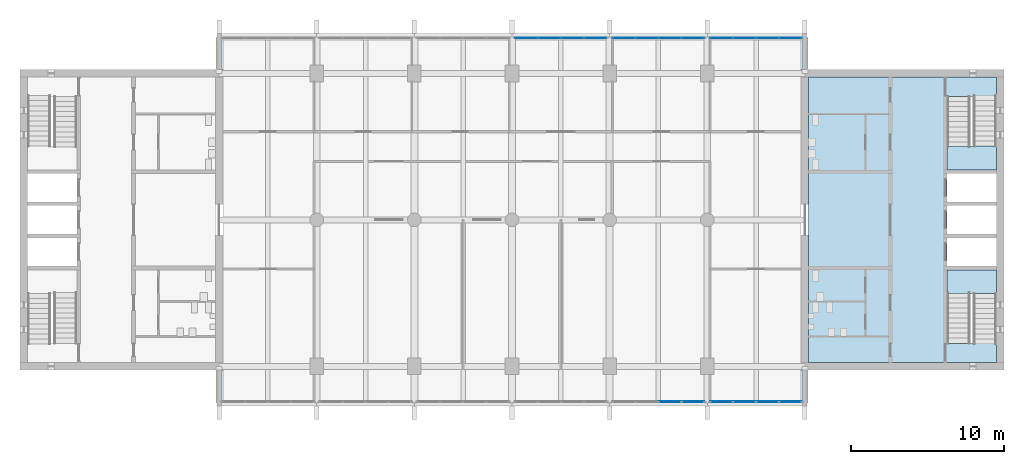
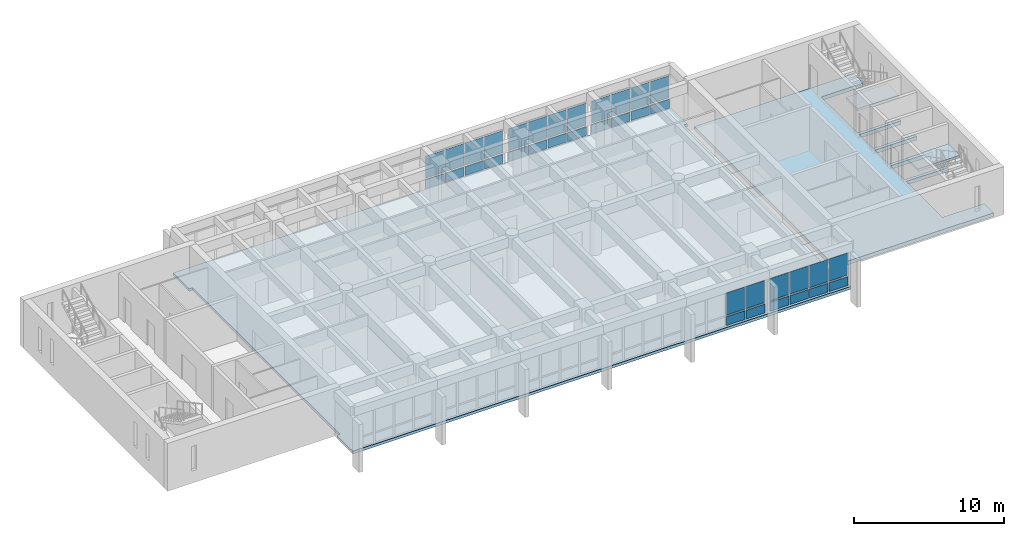
# One storey, part 8 of 15: 36 plates, 4 slabs, 7 elements without a shape of their own.
"""IFC4 building model written with IfcOpenShell, lengths in metres."""

from ifc_helpers import new_model, si_unit, direction, frame, origin, origin_2d, place, context, subcontext, project, spatial, polyline, rectangle, outline, extrude, material, layer, layer_set, type_object, element, aggregate, save


model = new_model("IFC4")

# Units and contexts
model_context = context("Model", 3, precision=1e-05, world=origin(), true_north=direction((0.0, 1.0)))
body_context = subcontext(model_context, "Body", "Model", "MODEL_VIEW")
ifc_project = project(units=[si_unit("LENGTHUNIT", "METRE"), si_unit("AREAUNIT", "SQUARE_METRE"), si_unit("VOLUMEUNIT", "CUBIC_METRE"), si_unit("PLANEANGLEUNIT", "RADIAN"), si_unit("MASSUNIT", "GRAM", prefix="KILO")], contexts=[model_context])

# Site, building, storey
site_placement = place(None, origin())
site = spatial("IfcSite", under=ifc_project, at=site_placement, CompositionType="ELEMENT")
building_placement = place(site_placement, origin())
building = spatial("IfcBuilding", under=site, at=building_placement, Name="Fogon Plaza Fire Station and Headquarters Tower", CompositionType="ELEMENT")
storey_placement = place(building_placement, frame((0.0, 0.0, 44.39990234375)))
storey = spatial("IfcBuildingStorey", under=building, at=storey_placement, Name="L11", CompositionType="ELEMENT", Elevation=44.39990234375)

# Slabs
ifc_material_1 = material(Name="Concrete C40", Category="concrete")
ifc_layer_1 = layer(ifc_material_1, 0.300048828125)
ifc_layer_set_1 = layer_set([ifc_layer_1], Name="Concrete C40")
slab_type_1 = type_object("IfcSlabType", Name="Core Floor Slab RC 300", PredefinedType="FLOOR", material=ifc_layer_set_1)
slab_1_placement = place(storey_placement, frame((0.0, 0.0, -0.2998046875)))
element("IfcSlab", 1, at=slab_1_placement, inside=storey, type_object=slab_type_1, Name="Core B floor", PredefinedType="FLOOR", context=body_context, shape_type="SweptSolid", body=[
    extrude(outline(polyline([(76.550048828125, 35.110107421875), (73.324951171875, 35.110107421875), (73.324951171875, 39.925048828125), (76.550048828125, 39.925048828125), (76.550048828125, 40.175048828125), (73.324951171875, 40.175048828125), (73.324951171875, 42.02490234375), (76.550048828125, 42.02490234375), (76.550048828125, 42.27490234375), (73.324951171875, 42.27490234375), (73.324951171875, 44.125), (76.550048828125, 44.125), (76.550048828125, 44.375), (73.324951171875, 44.375), (73.324951171875, 46.22509765625), (76.550048828125, 46.22509765625), (76.550048828125, 46.47509765625), (73.324951171875, 46.47509765625), (73.324951171875, 51.2900390625), (76.550048828125, 51.2900390625), (76.550048828125, 52.550048828125), (64.25, 52.550048828125), (64.25, 33.85009765625), (76.550048828125, 33.85009765625), (76.550048828125, 35.110107421875)])), origin(), (0.0, 0.0, 1.0), 0.2998046875),
])
ifc_material_2 = material(Name="Concrete C40", Category="concrete")
ifc_layer_2 = layer(ifc_material_2, 0.219970703125)
ifc_layer_set_2 = layer_set([ifc_layer_2], Name="Concrete C40")
slab_type_2 = type_object("IfcSlabType", Name="Floor slab 220 S22", PredefinedType="FLOOR", material=ifc_layer_set_2)
slab_2_placement = place(storey_placement, frame((0.0, 0.0, -0.219970703125)))
element("IfcSlab", 2, at=slab_2_placement, inside=storey, type_object=slab_type_2, Name="slab-L11-bar", PredefinedType="FLOOR", context=body_context, shape_type="SweptSolid", body=[
    extrude(outline(polyline([(64.0, 31.199951171875), (25.60009765625, 31.199951171875), (25.60009765625, 33.35009765625), (25.85009765625, 33.35009765625), (25.85009765625, 53.050048828125), (25.60009765625, 53.050048828125), (25.60009765625, 55.199951171875), (64.0, 55.199951171875), (64.0, 53.050048828125), (63.75, 53.050048828125), (63.75, 33.35009765625), (64.0, 33.35009765625), (64.0, 31.199951171875)])), origin(), (0.0, 0.0, 1.0), 0.219970703125),
])

# Curtain wall, plates
ifc_material_3 = material(Name="Aluminium and glass", Category="aluminium")
ifc_layer_3 = layer(ifc_material_3, 0.14990234375)
ifc_layer_set_3 = layer_set([ifc_layer_3], Name="Aluminium and glass")
curtain_wall_type = type_object("IfcCurtainWallType", Name="Unitised Curtain Wall Run 6100x2880", PredefinedType="NOTDEFINED", material=ifc_layer_set_3)
curtain_wall_1_placement = place(storey_placement, origin())
curtain_wall_1 = element("IfcCurtainWall", 3, at=curtain_wall_1_placement, inside=storey, type_object=curtain_wall_type, Name="CW-6100x2880 S5 L11", PredefinedType="NOTDEFINED")
ifc_material_4 = material(Name="Insulated aluminium spandrel", Category="aluminium")
ifc_layer_4 = layer(ifc_material_4, 0.06005859375)
ifc_layer_set_4 = layer_set([ifc_layer_4], Name="Insulated aluminium spandrel")
plate_type_1 = type_object("IfcPlateType", Name="Insulated Spandrel Panel", PredefinedType="CURTAIN_PANEL", material=ifc_layer_set_4)
plate_1_placement = place(storey_placement, frame((55.155029296875, 31.280029296875, 0.1201171875), z_axis=(0.0, 0.0, 1.0), x_axis=(1.0, 0.0, 0.0)))
plate_1 = element("IfcPlate", 4, at=plate_1_placement, type_object=plate_type_1, Name="SP1 panel 3.1", PredefinedType="CURTAIN_PANEL", context=body_context, shape_type="SweptSolid", body=[
    extrude(rectangle(XDim=1.449951171875, YDim=0.06005859375, at=origin_2d()), origin(), (0.0, 0.0, 1.0), 0.719970703125),
])
plate_2_placement = place(storey_placement, frame((56.6650390625, 31.280029296875, 0.1201171875), z_axis=(0.0, 0.0, 1.0), x_axis=(1.0, 0.0, 0.0)))
plate_2 = element("IfcPlate", 5, at=plate_2_placement, type_object=plate_type_1, Name="SP1 panel 4.1", PredefinedType="CURTAIN_PANEL", context=body_context, shape_type="SweptSolid", body=[
    extrude(rectangle(XDim=1.449951171875, YDim=0.06005859375, at=origin_2d()), origin(), (0.0, 0.0, 1.0), 0.719970703125),
])

curtain_wall_2_placement = place(storey_placement, origin())
curtain_wall_2 = element("IfcCurtainWall", 6, at=curtain_wall_2_placement, inside=storey, type_object=curtain_wall_type, Name="CW-6100x2880 S6 L11", PredefinedType="NOTDEFINED")
plate_3_placement = place(storey_placement, frame((58.534912109375, 31.280029296875, 0.1201171875), z_axis=(0.0, 0.0, 1.0), x_axis=(1.0, 0.0, 0.0)))
plate_3 = element("IfcPlate", 7, at=plate_3_placement, type_object=plate_type_1, Name="SP1 panel 1.1", PredefinedType="CURTAIN_PANEL", context=body_context, shape_type="SweptSolid", body=[
    extrude(rectangle(XDim=1.449951171875, YDim=0.06005859375, at=origin_2d()), origin(), (0.0, 0.0, 1.0), 0.719970703125),
])
plate_4_placement = place(storey_placement, frame((60.044921875, 31.280029296875, 0.1201171875), z_axis=(0.0, 0.0, 1.0), x_axis=(1.0, 0.0, 0.0)))
plate_4 = element("IfcPlate", 8, at=plate_4_placement, type_object=plate_type_1, Name="SP1 panel 2.1", PredefinedType="CURTAIN_PANEL", context=body_context, shape_type="SweptSolid", body=[
    extrude(rectangle(XDim=1.449951171875, YDim=0.06005859375, at=origin_2d()), origin(), (0.0, 0.0, 1.0), 0.719970703125),
])
plate_5_placement = place(storey_placement, frame((61.554931640625, 31.280029296875, 0.1201171875), z_axis=(0.0, 0.0, 1.0), x_axis=(1.0, 0.0, 0.0)))
plate_5 = element("IfcPlate", 9, at=plate_5_placement, type_object=plate_type_1, Name="SP1 panel 3.1", PredefinedType="CURTAIN_PANEL", context=body_context, shape_type="SweptSolid", body=[
    extrude(rectangle(XDim=1.449951171875, YDim=0.06005859375, at=origin_2d()), origin(), (0.0, 0.0, 1.0), 0.719970703125),
])
plate_6_placement = place(storey_placement, frame((63.06494140625, 31.280029296875, 0.1201171875), z_axis=(0.0, 0.0, 1.0), x_axis=(1.0, 0.0, 0.0)))
plate_6 = element("IfcPlate", 10, at=plate_6_placement, type_object=plate_type_1, Name="SP1 panel 4.1", PredefinedType="CURTAIN_PANEL", context=body_context, shape_type="SweptSolid", body=[
    extrude(rectangle(XDim=1.449951171875, YDim=0.06005859375, at=origin_2d()), origin(), (0.0, 0.0, 1.0), 0.719970703125),
])

curtain_wall_3_placement = place(storey_placement, origin())
curtain_wall_3 = element("IfcCurtainWall", 11, at=curtain_wall_3_placement, inside=storey, type_object=curtain_wall_type, Name="CW-6100x2880 N4 L11", PredefinedType="NOTDEFINED")
plate_7_placement = place(storey_placement, frame((45.735107421875, 55.1201171875, 0.1201171875), z_axis=(0.0, 0.0, 1.0), x_axis=(1.0, 0.0, 0.0)))
plate_7 = element("IfcPlate", 12, at=plate_7_placement, type_object=plate_type_1, Name="SP1 panel 1.1", PredefinedType="CURTAIN_PANEL", context=body_context, shape_type="SweptSolid", body=[
    extrude(rectangle(XDim=1.449951171875, YDim=0.06005859375, at=origin_2d()), origin(), (0.0, 0.0, 1.0), 0.719970703125),
])
plate_8_placement = place(storey_placement, frame((47.2451171875, 55.1201171875, 0.1201171875), z_axis=(0.0, 0.0, 1.0), x_axis=(1.0, 0.0, 0.0)))
plate_8 = element("IfcPlate", 13, at=plate_8_placement, type_object=plate_type_1, Name="SP1 panel 2.1", PredefinedType="CURTAIN_PANEL", context=body_context, shape_type="SweptSolid", body=[
    extrude(rectangle(XDim=1.449951171875, YDim=0.06005859375, at=origin_2d()), origin(), (0.0, 0.0, 1.0), 0.719970703125),
])
plate_9_placement = place(storey_placement, frame((48.7548828125, 55.1201171875, 0.1201171875), z_axis=(0.0, 0.0, 1.0), x_axis=(1.0, 0.0, 0.0)))
plate_9 = element("IfcPlate", 14, at=plate_9_placement, type_object=plate_type_1, Name="SP1 panel 3.1", PredefinedType="CURTAIN_PANEL", context=body_context, shape_type="SweptSolid", body=[
    extrude(rectangle(XDim=1.449951171875, YDim=0.06005859375, at=origin_2d()), origin(), (0.0, 0.0, 1.0), 0.719970703125),
])
plate_10_placement = place(storey_placement, frame((50.264892578125, 55.1201171875, 0.1201171875), z_axis=(0.0, 0.0, 1.0), x_axis=(1.0, 0.0, 0.0)))
plate_10 = element("IfcPlate", 15, at=plate_10_placement, type_object=plate_type_1, Name="SP1 panel 4.1", PredefinedType="CURTAIN_PANEL", context=body_context, shape_type="SweptSolid", body=[
    extrude(rectangle(XDim=1.449951171875, YDim=0.06005859375, at=origin_2d()), origin(), (0.0, 0.0, 1.0), 0.719970703125),
])

curtain_wall_4_placement = place(storey_placement, origin())
curtain_wall_4 = element("IfcCurtainWall", 16, at=curtain_wall_4_placement, inside=storey, type_object=curtain_wall_type, Name="CW-6100x2880 N5 L11", PredefinedType="NOTDEFINED")
plate_11_placement = place(storey_placement, frame((52.135009765625, 55.1201171875, 0.1201171875), z_axis=(0.0, 0.0, 1.0), x_axis=(1.0, 0.0, 0.0)))
plate_11 = element("IfcPlate", 17, at=plate_11_placement, type_object=plate_type_1, Name="SP1 panel 1.1", PredefinedType="CURTAIN_PANEL", context=body_context, shape_type="SweptSolid", body=[
    extrude(rectangle(XDim=1.449951171875, YDim=0.06005859375, at=origin_2d()), origin(), (0.0, 0.0, 1.0), 0.719970703125),
])
plate_12_placement = place(storey_placement, frame((53.64501953125, 55.1201171875, 0.1201171875), z_axis=(0.0, 0.0, 1.0), x_axis=(1.0, 0.0, 0.0)))
plate_12 = element("IfcPlate", 18, at=plate_12_placement, type_object=plate_type_1, Name="SP1 panel 2.1", PredefinedType="CURTAIN_PANEL", context=body_context, shape_type="SweptSolid", body=[
    extrude(rectangle(XDim=1.449951171875, YDim=0.06005859375, at=origin_2d()), origin(), (0.0, 0.0, 1.0), 0.719970703125),
])
plate_13_placement = place(storey_placement, frame((55.155029296875, 55.1201171875, 0.1201171875), z_axis=(0.0, 0.0, 1.0), x_axis=(1.0, 0.0, 0.0)))
plate_13 = element("IfcPlate", 19, at=plate_13_placement, type_object=plate_type_1, Name="SP1 panel 3.1", PredefinedType="CURTAIN_PANEL", context=body_context, shape_type="SweptSolid", body=[
    extrude(rectangle(XDim=1.449951171875, YDim=0.06005859375, at=origin_2d()), origin(), (0.0, 0.0, 1.0), 0.719970703125),
])
plate_14_placement = place(storey_placement, frame((56.6650390625, 55.1201171875, 0.1201171875), z_axis=(0.0, 0.0, 1.0), x_axis=(1.0, 0.0, 0.0)))
plate_14 = element("IfcPlate", 20, at=plate_14_placement, type_object=plate_type_1, Name="SP1 panel 4.1", PredefinedType="CURTAIN_PANEL", context=body_context, shape_type="SweptSolid", body=[
    extrude(rectangle(XDim=1.449951171875, YDim=0.06005859375, at=origin_2d()), origin(), (0.0, 0.0, 1.0), 0.719970703125),
])

curtain_wall_5_placement = place(storey_placement, origin())
curtain_wall_5 = element("IfcCurtainWall", 21, at=curtain_wall_5_placement, inside=storey, type_object=curtain_wall_type, Name="CW-6100x2880 N6 L11", PredefinedType="NOTDEFINED")
plate_15_placement = place(storey_placement, frame((58.534912109375, 55.1201171875, 0.1201171875), z_axis=(0.0, 0.0, 1.0), x_axis=(1.0, 0.0, 0.0)))
plate_15 = element("IfcPlate", 22, at=plate_15_placement, type_object=plate_type_1, Name="SP1 panel 1.1", PredefinedType="CURTAIN_PANEL", context=body_context, shape_type="SweptSolid", body=[
    extrude(rectangle(XDim=1.449951171875, YDim=0.06005859375, at=origin_2d()), origin(), (0.0, 0.0, 1.0), 0.719970703125),
])
plate_16_placement = place(storey_placement, frame((60.044921875, 55.1201171875, 0.1201171875), z_axis=(0.0, 0.0, 1.0), x_axis=(1.0, 0.0, 0.0)))
plate_16 = element("IfcPlate", 23, at=plate_16_placement, type_object=plate_type_1, Name="SP1 panel 2.1", PredefinedType="CURTAIN_PANEL", context=body_context, shape_type="SweptSolid", body=[
    extrude(rectangle(XDim=1.449951171875, YDim=0.06005859375, at=origin_2d()), origin(), (0.0, 0.0, 1.0), 0.719970703125),
])
plate_17_placement = place(storey_placement, frame((61.554931640625, 55.1201171875, 0.1201171875), z_axis=(0.0, 0.0, 1.0), x_axis=(1.0, 0.0, 0.0)))
plate_17 = element("IfcPlate", 24, at=plate_17_placement, type_object=plate_type_1, Name="SP1 panel 3.1", PredefinedType="CURTAIN_PANEL", context=body_context, shape_type="SweptSolid", body=[
    extrude(rectangle(XDim=1.449951171875, YDim=0.06005859375, at=origin_2d()), origin(), (0.0, 0.0, 1.0), 0.719970703125),
])
plate_18_placement = place(storey_placement, frame((63.06494140625, 55.1201171875, 0.1201171875), z_axis=(0.0, 0.0, 1.0), x_axis=(1.0, 0.0, 0.0)))
plate_18 = element("IfcPlate", 25, at=plate_18_placement, type_object=plate_type_1, Name="SP1 panel 4.1", PredefinedType="CURTAIN_PANEL", context=body_context, shape_type="SweptSolid", body=[
    extrude(rectangle(XDim=1.449951171875, YDim=0.06005859375, at=origin_2d()), origin(), (0.0, 0.0, 1.0), 0.719970703125),
])

# Stair, slab
ifc_material_5 = material(Name="Concrete C40", Category="concrete")
stair_type = type_object("IfcStairType", Name="Exit Stair Two Flights", PredefinedType="TWO_STRAIGHT_RUN_STAIR", material=ifc_material_5)
stair_1_placement = place(storey_placement, origin())
stair_1 = element("IfcStair", 26, at=stair_1_placement, inside=storey, type_object=stair_type, Name="Stair ST3", PredefinedType="TWO_STRAIGHT_RUN_STAIR")
ifc_material_6 = material(Name="Concrete C40", Category="concrete")
ifc_layer_5 = layer(ifc_material_6, 0.300048828125)
ifc_layer_set_5 = layer_set([ifc_layer_5], Name="Concrete C40")
slab_type_3 = type_object("IfcSlabType", Name="Stair Landing RC 300", PredefinedType="LANDING", material=ifc_layer_set_5)
slab_3_placement = place(storey_placement, frame((0.0, 0.0, 1.75)))
slab_3 = element("IfcSlab", 27, at=slab_3_placement, type_object=slab_type_3, Name="ST3 landing L13", PredefinedType="LANDING", context=body_context, shape_type="SweptSolid", body=[
    extrude(outline(polyline([(73.324951171875, 38.375), (76.550048828125, 38.375), (76.550048828125, 39.925048828125), (73.324951171875, 39.925048828125), (73.324951171875, 38.375)])), origin(), (0.0, 0.0, 1.0), 0.2001953125),
])
aggregate(stair_1, [slab_3])

stair_2_placement = place(storey_placement, origin())
stair_2 = element("IfcStair", 28, at=stair_2_placement, inside=storey, type_object=stair_type, Name="Stair ST4", PredefinedType="TWO_STRAIGHT_RUN_STAIR")
slab_4_placement = place(storey_placement, frame((0.0, 0.0, 1.75)))
slab_4 = element("IfcSlab", 29, at=slab_4_placement, type_object=slab_type_3, Name="ST4 landing L13", PredefinedType="LANDING", context=body_context, shape_type="SweptSolid", body=[
    extrude(outline(polyline([(73.324951171875, 46.47509765625), (76.550048828125, 46.47509765625), (76.550048828125, 48.02490234375), (73.324951171875, 48.02490234375), (73.324951171875, 46.47509765625)])), origin(), (0.0, 0.0, 1.0), 0.2001953125),
])
aggregate(stair_2, [slab_4])

# Plate
ifc_material_7 = material(Name="Low-e double glazing", Category="glass")
ifc_layer_6 = layer(ifc_material_7, 0.028076171875)
ifc_layer_set_6 = layer_set([ifc_layer_6], Name="Low-e double glazing")
plate_type_2 = type_object("IfcPlateType", Name="Vision Glass Panel 1450x1800", PredefinedType="CURTAIN_PANEL", material=ifc_layer_set_6)
plate_19_placement = place(storey_placement, frame((55.155029296875, 31.280029296875, 0.9599609375), z_axis=(0.0, 0.0, 1.0), x_axis=(1.0, 0.0, 0.0)))
plate_19 = element("IfcPlate", 30, at=plate_19_placement, type_object=plate_type_2, Name="VG-1450x1800 panel 3.2", PredefinedType="CURTAIN_PANEL", context=body_context, shape_type="SweptSolid", body=[
    extrude(rectangle(XDim=1.449951171875, YDim=0.028076171875, at=origin_2d()), origin(), (0.0, 0.0, 1.0), 1.800048828125),
])

plate_20_placement = place(storey_placement, frame((56.6650390625, 31.280029296875, 0.9599609375), z_axis=(0.0, 0.0, 1.0), x_axis=(1.0, 0.0, 0.0)))
plate_20 = element("IfcPlate", 31, at=plate_20_placement, type_object=plate_type_2, Name="VG-1450x1800 panel 4.2", PredefinedType="CURTAIN_PANEL", context=body_context, shape_type="SweptSolid", body=[
    extrude(rectangle(XDim=1.449951171875, YDim=0.028076171875, at=origin_2d()), origin(), (0.0, 0.0, 1.0), 1.800048828125),
])

aggregate(curtain_wall_1, [plate_1, plate_19, plate_2, plate_20])

plate_21_placement = place(storey_placement, frame((58.534912109375, 31.280029296875, 0.9599609375), z_axis=(0.0, 0.0, 1.0), x_axis=(1.0, 0.0, 0.0)))
plate_21 = element("IfcPlate", 32, at=plate_21_placement, type_object=plate_type_2, Name="VG-1450x1800 panel 1.2", PredefinedType="CURTAIN_PANEL", context=body_context, shape_type="SweptSolid", body=[
    extrude(rectangle(XDim=1.449951171875, YDim=0.028076171875, at=origin_2d()), origin(), (0.0, 0.0, 1.0), 1.800048828125),
])

plate_22_placement = place(storey_placement, frame((60.044921875, 31.280029296875, 0.9599609375), z_axis=(0.0, 0.0, 1.0), x_axis=(1.0, 0.0, 0.0)))
plate_22 = element("IfcPlate", 33, at=plate_22_placement, type_object=plate_type_2, Name="VG-1450x1800 panel 2.2", PredefinedType="CURTAIN_PANEL", context=body_context, shape_type="SweptSolid", body=[
    extrude(rectangle(XDim=1.449951171875, YDim=0.028076171875, at=origin_2d()), origin(), (0.0, 0.0, 1.0), 1.800048828125),
])

plate_23_placement = place(storey_placement, frame((61.554931640625, 31.280029296875, 0.9599609375), z_axis=(0.0, 0.0, 1.0), x_axis=(1.0, 0.0, 0.0)))
plate_23 = element("IfcPlate", 34, at=plate_23_placement, type_object=plate_type_2, Name="VG-1450x1800 panel 3.2", PredefinedType="CURTAIN_PANEL", context=body_context, shape_type="SweptSolid", body=[
    extrude(rectangle(XDim=1.449951171875, YDim=0.028076171875, at=origin_2d()), origin(), (0.0, 0.0, 1.0), 1.800048828125),
])

plate_24_placement = place(storey_placement, frame((63.06494140625, 31.280029296875, 0.9599609375), z_axis=(0.0, 0.0, 1.0), x_axis=(1.0, 0.0, 0.0)))
plate_24 = element("IfcPlate", 35, at=plate_24_placement, type_object=plate_type_2, Name="VG-1450x1800 panel 4.2", PredefinedType="CURTAIN_PANEL", context=body_context, shape_type="SweptSolid", body=[
    extrude(rectangle(XDim=1.449951171875, YDim=0.028076171875, at=origin_2d()), origin(), (0.0, 0.0, 1.0), 1.800048828125),
])

aggregate(curtain_wall_2, [plate_3, plate_21, plate_4, plate_22, plate_5, plate_23, plate_6, plate_24])

plate_25_placement = place(storey_placement, frame((45.735107421875, 55.1201171875, 0.9599609375), z_axis=(0.0, 0.0, 1.0), x_axis=(1.0, 0.0, 0.0)))
plate_25 = element("IfcPlate", 36, at=plate_25_placement, type_object=plate_type_2, Name="VG-1450x1800 panel 1.2", PredefinedType="CURTAIN_PANEL", context=body_context, shape_type="SweptSolid", body=[
    extrude(rectangle(XDim=1.449951171875, YDim=0.028076171875, at=origin_2d()), origin(), (0.0, 0.0, 1.0), 1.800048828125),
])

plate_26_placement = place(storey_placement, frame((47.2451171875, 55.1201171875, 0.9599609375), z_axis=(0.0, 0.0, 1.0), x_axis=(1.0, 0.0, 0.0)))
plate_26 = element("IfcPlate", 37, at=plate_26_placement, type_object=plate_type_2, Name="VG-1450x1800 panel 2.2", PredefinedType="CURTAIN_PANEL", context=body_context, shape_type="SweptSolid", body=[
    extrude(rectangle(XDim=1.449951171875, YDim=0.028076171875, at=origin_2d()), origin(), (0.0, 0.0, 1.0), 1.800048828125),
])

plate_27_placement = place(storey_placement, frame((48.7548828125, 55.1201171875, 0.9599609375), z_axis=(0.0, 0.0, 1.0), x_axis=(1.0, 0.0, 0.0)))
plate_27 = element("IfcPlate", 38, at=plate_27_placement, type_object=plate_type_2, Name="VG-1450x1800 panel 3.2", PredefinedType="CURTAIN_PANEL", context=body_context, shape_type="SweptSolid", body=[
    extrude(rectangle(XDim=1.449951171875, YDim=0.028076171875, at=origin_2d()), origin(), (0.0, 0.0, 1.0), 1.800048828125),
])

plate_28_placement = place(storey_placement, frame((50.264892578125, 55.1201171875, 0.9599609375), z_axis=(0.0, 0.0, 1.0), x_axis=(1.0, 0.0, 0.0)))
plate_28 = element("IfcPlate", 39, at=plate_28_placement, type_object=plate_type_2, Name="VG-1450x1800 panel 4.2", PredefinedType="CURTAIN_PANEL", context=body_context, shape_type="SweptSolid", body=[
    extrude(rectangle(XDim=1.449951171875, YDim=0.028076171875, at=origin_2d()), origin(), (0.0, 0.0, 1.0), 1.800048828125),
])

aggregate(curtain_wall_3, [plate_7, plate_25, plate_8, plate_26, plate_9, plate_27, plate_10, plate_28])

plate_29_placement = place(storey_placement, frame((52.135009765625, 55.1201171875, 0.9599609375), z_axis=(0.0, 0.0, 1.0), x_axis=(1.0, 0.0, 0.0)))
plate_29 = element("IfcPlate", 40, at=plate_29_placement, type_object=plate_type_2, Name="VG-1450x1800 panel 1.2", PredefinedType="CURTAIN_PANEL", context=body_context, shape_type="SweptSolid", body=[
    extrude(rectangle(XDim=1.449951171875, YDim=0.028076171875, at=origin_2d()), origin(), (0.0, 0.0, 1.0), 1.800048828125),
])

plate_30_placement = place(storey_placement, frame((53.64501953125, 55.1201171875, 0.9599609375), z_axis=(0.0, 0.0, 1.0), x_axis=(1.0, 0.0, 0.0)))
plate_30 = element("IfcPlate", 41, at=plate_30_placement, type_object=plate_type_2, Name="VG-1450x1800 panel 2.2", PredefinedType="CURTAIN_PANEL", context=body_context, shape_type="SweptSolid", body=[
    extrude(rectangle(XDim=1.449951171875, YDim=0.028076171875, at=origin_2d()), origin(), (0.0, 0.0, 1.0), 1.800048828125),
])

plate_31_placement = place(storey_placement, frame((55.155029296875, 55.1201171875, 0.9599609375), z_axis=(0.0, 0.0, 1.0), x_axis=(1.0, 0.0, 0.0)))
plate_31 = element("IfcPlate", 42, at=plate_31_placement, type_object=plate_type_2, Name="VG-1450x1800 panel 3.2", PredefinedType="CURTAIN_PANEL", context=body_context, shape_type="SweptSolid", body=[
    extrude(rectangle(XDim=1.449951171875, YDim=0.028076171875, at=origin_2d()), origin(), (0.0, 0.0, 1.0), 1.800048828125),
])

plate_32_placement = place(storey_placement, frame((56.6650390625, 55.1201171875, 0.9599609375), z_axis=(0.0, 0.0, 1.0), x_axis=(1.0, 0.0, 0.0)))
plate_32 = element("IfcPlate", 43, at=plate_32_placement, type_object=plate_type_2, Name="VG-1450x1800 panel 4.2", PredefinedType="CURTAIN_PANEL", context=body_context, shape_type="SweptSolid", body=[
    extrude(rectangle(XDim=1.449951171875, YDim=0.028076171875, at=origin_2d()), origin(), (0.0, 0.0, 1.0), 1.800048828125),
])

aggregate(curtain_wall_4, [plate_11, plate_29, plate_12, plate_30, plate_13, plate_31, plate_14, plate_32])

plate_33_placement = place(storey_placement, frame((58.534912109375, 55.1201171875, 0.9599609375), z_axis=(0.0, 0.0, 1.0), x_axis=(1.0, 0.0, 0.0)))
plate_33 = element("IfcPlate", 44, at=plate_33_placement, type_object=plate_type_2, Name="VG-1450x1800 panel 1.2", PredefinedType="CURTAIN_PANEL", context=body_context, shape_type="SweptSolid", body=[
    extrude(rectangle(XDim=1.449951171875, YDim=0.028076171875, at=origin_2d()), origin(), (0.0, 0.0, 1.0), 1.800048828125),
])

plate_34_placement = place(storey_placement, frame((60.044921875, 55.1201171875, 0.9599609375), z_axis=(0.0, 0.0, 1.0), x_axis=(1.0, 0.0, 0.0)))
plate_34 = element("IfcPlate", 45, at=plate_34_placement, type_object=plate_type_2, Name="VG-1450x1800 panel 2.2", PredefinedType="CURTAIN_PANEL", context=body_context, shape_type="SweptSolid", body=[
    extrude(rectangle(XDim=1.449951171875, YDim=0.028076171875, at=origin_2d()), origin(), (0.0, 0.0, 1.0), 1.800048828125),
])

plate_35_placement = place(storey_placement, frame((61.554931640625, 55.1201171875, 0.9599609375), z_axis=(0.0, 0.0, 1.0), x_axis=(1.0, 0.0, 0.0)))
plate_35 = element("IfcPlate", 46, at=plate_35_placement, type_object=plate_type_2, Name="VG-1450x1800 panel 3.2", PredefinedType="CURTAIN_PANEL", context=body_context, shape_type="SweptSolid", body=[
    extrude(rectangle(XDim=1.449951171875, YDim=0.028076171875, at=origin_2d()), origin(), (0.0, 0.0, 1.0), 1.800048828125),
])

plate_36_placement = place(storey_placement, frame((63.06494140625, 55.1201171875, 0.9599609375), z_axis=(0.0, 0.0, 1.0), x_axis=(1.0, 0.0, 0.0)))
plate_36 = element("IfcPlate", 47, at=plate_36_placement, type_object=plate_type_2, Name="VG-1450x1800 panel 4.2", PredefinedType="CURTAIN_PANEL", context=body_context, shape_type="SweptSolid", body=[
    extrude(rectangle(XDim=1.449951171875, YDim=0.028076171875, at=origin_2d()), origin(), (0.0, 0.0, 1.0), 1.800048828125),
])

aggregate(curtain_wall_5, [plate_15, plate_33, plate_16, plate_34, plate_17, plate_35, plate_18, plate_36])

save(model, "model.ifc")
